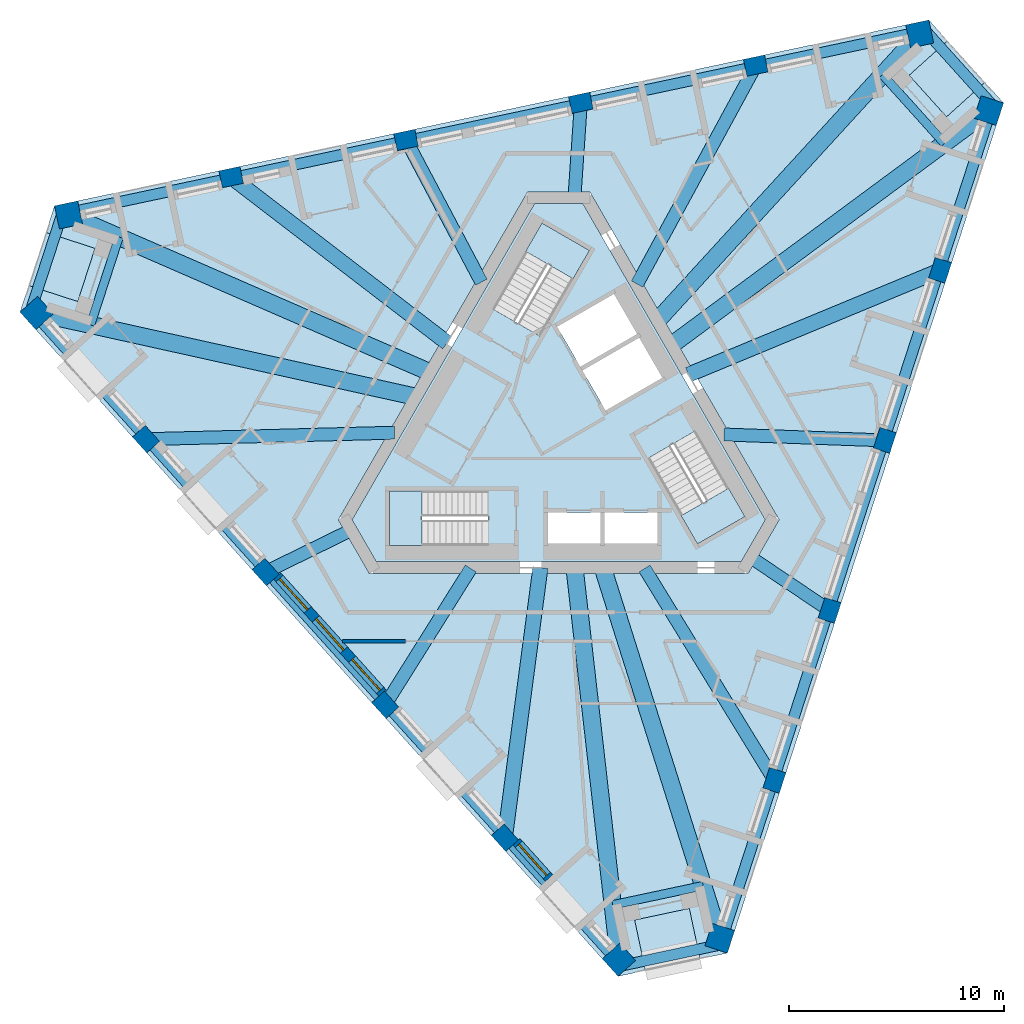
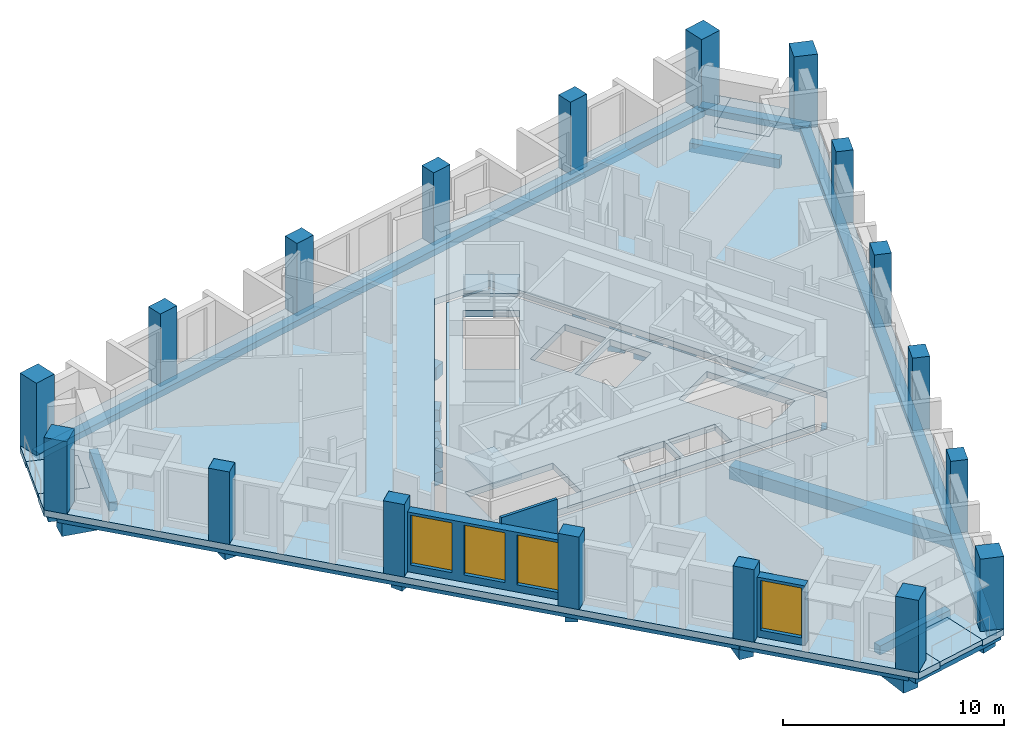
# One storey, part 1 of 12: 27 beams, 18 columns, 8 slabs, 4 windows, 3 walls, 4 openings, 3 elements without a shape of their own.
"""IFC4 building model written with IfcOpenShell, lengths in metres."""

from ifc_helpers import new_model, si_unit, direction, frame, frame_2d, origin, origin_2d, place, context, subcontext, project, spatial, polyline, rectangle, outline, extrude, material, layer, layer_set, material_profile, profile_set, type_object, element, fill, aggregate, save


model = new_model("IFC4")

# Units and contexts
model_context = context("Model", 3, precision=1e-05, world=origin(), true_north=direction((0.0, 1.0)))
body_context = subcontext(model_context, "Body", "Model", "MODEL_VIEW")
ifc_project = project(units=[si_unit("LENGTHUNIT", "METRE"), si_unit("AREAUNIT", "SQUARE_METRE"), si_unit("VOLUMEUNIT", "CUBIC_METRE"), si_unit("PLANEANGLEUNIT", "RADIAN"), si_unit("MASSUNIT", "GRAM", prefix="KILO")], contexts=[model_context])

# Site, building, storey
site_placement = place(None, origin())
site = spatial("IfcSite", under=ifc_project, at=site_placement, CompositionType="ELEMENT")
building_placement = place(site_placement, origin())
building = spatial("IfcBuilding", under=site, at=building_placement, Name="Tramontana Tower", CompositionType="ELEMENT")
storey_placement = place(building_placement, frame((0.0, 0.0, 332.39990234375)))
storey = spatial("IfcBuildingStorey", under=building, at=storey_placement, Name="L76", CompositionType="ELEMENT", Elevation=332.39990234375)

# Columns
ifc_material_1 = material(Name="Concrete 55 MPa", Category="concrete")
ifc_material_profile_1 = material_profile(ifc_material_1, rectangle(XDim=1.10009765625, YDim=1.10009765625, at=origin_2d()), Name="Mega column 1100X1100 55 MPa")
ifc_profile_set_1 = profile_set([ifc_material_profile_1], Name="Concrete 55 MPa")
column_type_1 = type_object("IfcColumnType", Name="Mega column 1100X1100 55 MPa", PredefinedType="COLUMN", material=ifc_profile_set_1)
for number, where, z_axis, x_axis, name in (
    (1, (-24.278076171875, 5.368408203125, 0.0), (0.0, 0.0, 1.0), (0.669130606359, -0.743144825477, 0.0), "Mega column C8K1 L76"),
    (2, (2.80126953125, -24.706298828125, 0.0), (0.0, 0.0, 1.0), (0.669130606359, -0.743144825477, 0.0), "Mega column C8K2 L76"),
    (3, (7.489990234375, -23.70947265625, 0.0), (0.0, 0.0, 1.0), (0.309016994375, 0.951056516295, 0.0), "Mega column C8K3 L76"),
    (4, (19.99560546875, 14.779052734375, 0.0), (0.0, 0.0, 1.0), (0.309016994375, 0.951056516295, 0.0), "Mega column C8K4 L76"),
    (5, (16.7880859375, 18.34130859375, 0.0), (0.0, 0.0, 1.0), (-0.978147600734, -0.207911690818, 0.0), "Mega column C8K5 L76"),
    (6, (-22.796875, 9.92724609375, 0.0), (0.0, 0.0, 1.0), (-0.978147600734, -0.207911690818, 0.0), "Mega column C8K6 L76"),
):
    element("IfcColumn", number, at=place(storey_placement, frame(where, z_axis=z_axis, x_axis=x_axis)), inside=storey, type_object=column_type_1, Name=name, PredefinedType="COLUMN", context=body_context, shape_type="SweptSolid", body=[
        extrude(rectangle(XDim=1.10009765625, YDim=1.10009765625, at=origin_2d()), origin(), (0.0, 0.0, 1.0), 4.0),
    ])
ifc_material_2 = material(Name="Concrete 55 MPa", Category="concrete")
ifc_material_profile_2 = material_profile(ifc_material_2, rectangle(XDim=1.0, YDim=0.800048828125, at=origin_2d()), Name="Pier column 1000X800 55 MPa")
ifc_profile_set_2 = profile_set([ifc_material_profile_2], Name="Concrete 55 MPa")
column_type_2 = type_object("IfcColumnType", Name="Pier column 1000X800 55 MPa", PredefinedType="COLUMN", material=ifc_profile_set_2)
for number, where, z_axis, x_axis, name in (
    (7, (-19.194580078125, -0.501708984375, 0.0), (0.0, 0.0, 1.0), (0.669130606359, -0.743144825477, 0.0), "Pier column C8F01 L76"),
    (8, (-13.63134765625, -6.68017578125, 0.0), (0.0, 0.0, 1.0), (0.669130606359, -0.743144825477, 0.0), "Pier column C8F02 L76"),
    (9, (-8.068359375, -12.8583984375, 0.0), (0.0, 0.0, 1.0), (0.669130606359, -0.743144825477, 0.0), "Pier column C8F03 L76"),
    (10, (-2.50537109375, -19.036865234375, 0.0), (0.0, 0.0, 1.0), (0.669130606359, -0.743144825477, 0.0), "Pier column C8F04 L76"),
    (11, (10.03173828125, -16.3720703125, 0.0), (0.0, 0.0, 1.0), (0.309016994375, 0.951056516295, 0.0), "Pier column C8F05 L76"),
    (12, (12.600830078125, -8.465087890625, 0.0), (0.0, 0.0, 1.0), (0.309016994375, 0.951056516295, 0.0), "Pier column C8F06 L76"),
    (13, (15.169921875, -0.55810546875, 0.0), (0.0, 0.0, 1.0), (0.309016994375, 0.951056516295, 0.0), "Pier column C8F07 L76"),
    (14, (17.739013671875, 7.348876953125, 0.0), (0.0, 0.0, 1.0), (0.309016994375, 0.951056516295, 0.0), "Pier column C8F08 L76"),
    (15, (9.162841796875, 16.873779296875, 0.0), (0.0, 0.0, 1.0), (-0.978147600734, -0.207911690818, 0.0), "Pier column C8F09 L76"),
    (16, (1.030517578125, 15.145263671875, 0.0), (0.0, 0.0, 1.0), (-0.978147600734, -0.207911690818, 0.0), "Pier column C8F10 L76"),
    (17, (-7.1015625, 13.416748046875, 0.0), (0.0, 0.0, 1.0), (-0.978147600734, -0.207911690818, 0.0), "Pier column C8F11 L76"),
    (18, (-15.233642578125, 11.688232421875, 0.0), (0.0, 0.0, 1.0), (-0.978147600734, -0.207911690818, 0.0), "Pier column C8F12 L76"),
):
    element("IfcColumn", number, at=place(storey_placement, frame(where, z_axis=z_axis, x_axis=x_axis)), inside=storey, type_object=column_type_2, Name=name, PredefinedType="COLUMN", context=body_context, shape_type="SweptSolid", body=[
        extrude(rectangle(XDim=1.0, YDim=0.800048828125, at=origin_2d()), origin(), (0.0, 0.0, 1.0), 4.0),
    ])

# Beams
ifc_material_3 = material(Name="Concrete 40 MPa", Category="concrete")
ifc_material_profile_3 = material_profile(ifc_material_3, rectangle(XDim=0.5, YDim=0.35009765625, at=origin_2d()), Name="RC EDGE BEAM 500X350 40 MPa")
ifc_profile_set_3 = profile_set([ifc_material_profile_3], Name="Concrete 40 MPa")
beam_type_1 = type_object("IfcBeamType", Name="RC EDGE BEAM 500X350 40 MPa", PredefinedType="SPANDREL", material=ifc_profile_set_3)
for number, where, z_axis, x_axis, name in (
    (19, (-24.352294921875, 5.301513671875, -0.52490234375), (0.669126699639, -0.743148343086, 0.0), (0.743148343086, 0.669126699639, 0.0), "Spandrel beam S0 L76"),
    (20, (7.5849609375, -23.740478515625, -0.52490234375), (0.309021003975, 0.951055213488, 0.0), (-0.951055213488, 0.309021003975, 0.0), "Spandrel beam S1 L76"),
):
    element("IfcBeam", number, at=place(storey_placement, frame(where, z_axis=z_axis, x_axis=x_axis)), inside=storey, type_object=beam_type_1, Name=name, PredefinedType="SPANDREL", context=body_context, shape_type="SweptSolid", body=[
        extrude(rectangle(XDim=0.5, YDim=0.35009765625, at=origin_2d()), origin(), (0.0, 0.0, 1.0), 40.46923828125),
    ])
beam_1_placement = place(storey_placement, frame((16.767333984375, 18.439208984375, -0.52490234375), z_axis=(-0.978146276815, -0.20791791927, 0.0), x_axis=(0.20791791927, -0.978146276815, 0.0)))
element("IfcBeam", 21, at=beam_1_placement, inside=storey, type_object=beam_type_1, Name="Spandrel beam S2 L76", PredefinedType="SPANDREL", context=body_context, shape_type="SweptSolid", body=[
    extrude(rectangle(XDim=0.5, YDim=0.35009765625, at=origin_2d()), origin(), (0.0, 0.0, 1.0), 40.469482421875),
])
beam_2_placement = place(storey_placement, frame((-23.02099609375, 10.2119140625, -0.52490234375), z_axis=(-0.309015953557, -0.951056854477, 0.0), x_axis=(0.951056854477, -0.309015953557, 0.0)))
element("IfcBeam", 22, at=beam_2_placement, inside=storey, type_object=beam_type_1, Name="Spandrel beam K0 L76", PredefinedType="SPANDREL", context=body_context, shape_type="SweptSolid", body=[
    extrude(rectangle(XDim=0.5, YDim=0.35009765625, at=origin_2d()), origin(), (0.0, 0.0, 1.0), 5.1962890625),
])
for number, where, z_axis, x_axis, name in (
    (23, (2.6669921875, -25.042724609375, -0.52490234375), (0.97814762463, 0.207911578393, 0.0), (-0.207911578393, 0.97814762463, 0.0), "Spandrel beam K1 L76"),
    (24, (20.354248046875, 14.8310546875, -0.52490234375), (-0.66916199362, 0.74311656306, 0.0), (-0.74311656306, -0.66916199362, 0.0), "Spandrel beam K2 L76"),
):
    element("IfcBeam", number, at=place(storey_placement, frame(where, z_axis=z_axis, x_axis=x_axis)), inside=storey, type_object=beam_type_1, Name=name, PredefinedType="SPANDREL", context=body_context, shape_type="SweptSolid", body=[
        extrude(rectangle(XDim=0.5, YDim=0.35009765625, at=origin_2d()), origin(), (0.0, 0.0, 1.0), 5.196044921875),
    ])
ifc_material_4 = material(Name="Concrete 40 MPa", Category="concrete")
ifc_material_profile_4 = material_profile(ifc_material_4, rectangle(XDim=0.60009765625, YDim=0.699951171875, at=origin_2d()), Name="RC GIRDER 600X700 40 MPa")
ifc_profile_set_4 = profile_set([ifc_material_profile_4], Name="Concrete 40 MPa")
beam_type_2 = type_object("IfcBeamType", Name="RC GIRDER 600X700 40 MPa", PredefinedType="BEAM", material=ifc_profile_set_4)
beam_3_placement = place(storey_placement, frame((-19.194580078125, -0.501708984375, -0.699951171875), z_axis=(0.999658682192, 0.026125066864, 0.0), x_axis=(-0.026125066864, 0.999658682192, 0.0)))
element("IfcBeam", 25, at=beam_3_placement, inside=storey, type_object=beam_type_2, Name="Radial girder C8F01 L76", PredefinedType="BEAM", context=body_context, shape_type="SweptSolid", body=[
    extrude(rectangle(XDim=0.60009765625, YDim=0.699951171875, at=origin_2d()), origin(), (0.0, 0.0, 1.0), 11.559814453125),
])
beam_4_placement = place(storey_placement, frame((-13.63134765625, -6.68017578125, -0.699951171875), z_axis=(0.897959158445, 0.440078799496, 0.0), x_axis=(-0.440078799496, 0.897959158445, 0.0)))
element("IfcBeam", 26, at=beam_4_placement, inside=storey, type_object=beam_type_2, Name="Radial girder C8F02 L76", PredefinedType="BEAM", context=body_context, shape_type="SweptSolid", body=[
    extrude(rectangle(XDim=0.60009765625, YDim=0.699951171875, at=origin_2d()), origin(), (0.0, 0.0, 1.0), 4.4296875),
])
beam_5_placement = place(storey_placement, frame((-8.068359375, -12.8583984375, -0.699951171875), z_axis=(0.531504835363, 0.847055257929, 0.0), x_axis=(-0.847055257929, 0.531504835363, 0.0)))
element("IfcBeam", 27, at=beam_5_placement, inside=storey, type_object=beam_type_2, Name="Radial girder C8F03 L76", PredefinedType="BEAM", context=body_context, shape_type="SweptSolid", body=[
    extrude(rectangle(XDim=0.60009765625, YDim=0.699951171875, at=origin_2d()), origin(), (0.0, 0.0, 1.0), 7.486328125),
])
beam_6_placement = place(storey_placement, frame((10.03173828125, -16.3720703125, -0.699951171875), z_axis=(-0.522458548495, 0.852664685034, 0.0), x_axis=(-0.852664685034, -0.522458548495, 0.0)))
element("IfcBeam", 28, at=beam_6_placement, inside=storey, type_object=beam_type_2, Name="Radial girder C8F05 L76", PredefinedType="BEAM", context=body_context, shape_type="SweptSolid", body=[
    extrude(rectangle(XDim=0.60009765625, YDim=0.699951171875, at=origin_2d()), origin(), (0.0, 0.0, 1.0), 11.559814453125),
])
beam_7_placement = place(storey_placement, frame((12.600830078125, -8.465087890625, -0.699951171875), z_axis=(-0.830077902204, 0.557647448011, 0.0), x_axis=(-0.557647448011, -0.830077902204, 0.0)))
element("IfcBeam", 29, at=beam_7_placement, inside=storey, type_object=beam_type_2, Name="Radial girder C8F06 L76", PredefinedType="BEAM", context=body_context, shape_type="SweptSolid", body=[
    extrude(rectangle(XDim=0.60009765625, YDim=0.699951171875, at=origin_2d()), origin(), (0.0, 0.0, 1.0), 4.4296875),
])
beam_8_placement = place(storey_placement, frame((15.169921875, -0.55810546875, -0.699951171875), z_axis=(-0.999324360611, 0.036753534393, 0.0), x_axis=(-0.036753534393, -0.999324360611, 0.0)))
element("IfcBeam", 30, at=beam_8_placement, inside=storey, type_object=beam_type_2, Name="Radial girder C8F07 L76", PredefinedType="BEAM", context=body_context, shape_type="SweptSolid", body=[
    extrude(rectangle(XDim=0.60009765625, YDim=0.699951171875, at=origin_2d()), origin(), (0.0, 0.0, 1.0), 7.486328125),
])
beam_9_placement = place(storey_placement, frame((9.16259765625, 16.873779296875, -0.699951171875), z_axis=(-0.477185075818, -0.87880282397, 0.0), x_axis=(0.87880282397, -0.477185075818, 0.0)))
element("IfcBeam", 31, at=beam_9_placement, inside=storey, type_object=beam_type_2, Name="Radial girder C8F09 L76", PredefinedType="BEAM", context=body_context, shape_type="SweptSolid", body=[
    extrude(rectangle(XDim=0.60009765625, YDim=0.699951171875, at=origin_2d()), origin(), (0.0, 0.0, 1.0), 11.559814453125),
])
beam_10_placement = place(storey_placement, frame((1.030517578125, 15.145263671875, -0.699951171875), z_axis=(-0.067897965918, -0.997692270304, 0.0), x_axis=(0.997692270304, -0.067897965918, 0.0)))
element("IfcBeam", 32, at=beam_10_placement, inside=storey, type_object=beam_type_2, Name="Radial girder C8F10 L76", PredefinedType="BEAM", context=body_context, shape_type="SweptSolid", body=[
    extrude(rectangle(XDim=0.60009765625, YDim=0.699951171875, at=origin_2d()), origin(), (0.0, 0.0, 1.0), 4.429931640625),
])
beam_11_placement = place(storey_placement, frame((-7.1015625, 13.416748046875, -0.699951171875), z_axis=(0.467808305742, -0.883829954843, 0.0), x_axis=(0.883829954843, 0.467808305742, 0.0)))
element("IfcBeam", 33, at=beam_11_placement, inside=storey, type_object=beam_type_2, Name="Radial girder C8F11 L76", PredefinedType="BEAM", context=body_context, shape_type="SweptSolid", body=[
    extrude(rectangle(XDim=0.60009765625, YDim=0.699951171875, at=origin_2d()), origin(), (0.0, 0.0, 1.0), 7.486328125),
])
ifc_material_5 = material(Name="Concrete 40 MPa", Category="concrete")
ifc_material_profile_5 = material_profile(ifc_material_5, rectangle(XDim=0.699951171875, YDim=0.89990234375, at=origin_2d()), Name="RC GIRDER 700X900 40 MPa")
ifc_profile_set_5 = profile_set([ifc_material_profile_5], Name="Concrete 40 MPa")
beam_type_3 = type_object("IfcBeamType", Name="RC GIRDER 700X900 40 MPa", PredefinedType="BEAM", material=ifc_profile_set_5)
beam_12_placement = place(storey_placement, frame((-2.50537109375, -19.036865234375, -0.7998046875), z_axis=(0.130493398369, 0.991449178214, 0.0), x_axis=(-0.991449178214, 0.130493398369, 0.0)))
element("IfcBeam", 34, at=beam_12_placement, inside=storey, type_object=beam_type_3, Name="Radial girder C8F04 L76", PredefinedType="BEAM", context=body_context, shape_type="SweptSolid", body=[
    extrude(rectangle(XDim=0.699951171875, YDim=0.89990234375, at=origin_2d()), origin(), (0.0, 0.0, 1.0), 12.66796875),
])
beam_13_placement = place(storey_placement, frame((17.739013671875, 7.348876953125, -0.7998046875), z_axis=(-0.923857326556, -0.382737037885, 0.0), x_axis=(0.382737037885, -0.923857326556, 0.0)))
element("IfcBeam", 35, at=beam_13_placement, inside=storey, type_object=beam_type_3, Name="Radial girder C8F08 L76", PredefinedType="BEAM", context=body_context, shape_type="SweptSolid", body=[
    extrude(rectangle(XDim=0.699951171875, YDim=0.89990234375, at=origin_2d()), origin(), (0.0, 0.0, 1.0), 12.667724609375),
])
beam_14_placement = place(storey_placement, frame((-15.23388671875, 11.68798828125, -0.7998046875), z_axis=(0.793386383047, -0.608718364431, 0.0), x_axis=(0.608718364431, 0.793386383047, 0.0)))
element("IfcBeam", 36, at=beam_14_placement, inside=storey, type_object=beam_type_3, Name="Radial girder C8F12 L76", PredefinedType="BEAM", context=body_context, shape_type="SweptSolid", body=[
    extrude(rectangle(XDim=0.699951171875, YDim=0.89990234375, at=origin_2d()), origin(), (0.0, 0.0, 1.0), 12.66796875),
])
ifc_material_6 = material(Name="Concrete 40 MPa", Category="concrete")
ifc_material_profile_6 = material_profile(ifc_material_6, rectangle(XDim=0.800048828125, YDim=1.10009765625, at=origin_2d()), Name="RC GIRDER 800X1100 40 MPa")
ifc_profile_set_6 = profile_set([ifc_material_profile_6], Name="Concrete 40 MPa")
beam_type_4 = type_object("IfcBeamType", Name="RC GIRDER 800X1100 40 MPa", PredefinedType="BEAM", material=ifc_profile_set_6)
beam_15_placement = place(storey_placement, frame((-24.278076171875, 5.368408203125, -0.89990234375), z_axis=(0.976414256624, -0.215905533653, 0.0), x_axis=(0.215905533653, 0.976414256624, 0.0)))
element("IfcBeam", 37, at=beam_15_placement, inside=storey, type_object=beam_type_4, Name="Radial girder C8K1 L76", PredefinedType="BEAM", context=body_context, shape_type="SweptSolid", body=[
    extrude(rectangle(XDim=0.800048828125, YDim=1.10009765625, at=origin_2d()), origin(), (0.0, 0.0, 1.0), 18.060791015625),
])
beam_16_placement = place(storey_placement, frame((2.80126953125, -24.706298828125, -0.89990234375), z_axis=(-0.112660068087, 0.993633588934, 0.0), x_axis=(-0.993633588934, -0.112660068087, 0.0)))
element("IfcBeam", 38, at=beam_16_placement, inside=storey, type_object=beam_type_4, Name="Radial girder C8K2 L76", PredefinedType="BEAM", context=body_context, shape_type="SweptSolid", body=[
    extrude(rectangle(XDim=0.800048828125, YDim=1.10009765625, at=origin_2d()), origin(), (0.0, 0.0, 1.0), 18.34619140625),
])
beam_17_placement = place(storey_placement, frame((7.489990234375, -23.709716796875, -0.89990234375), z_axis=(-0.301228407795, 0.953552015538, 0.0), x_axis=(-0.953552015538, -0.301228407795, 0.0)))
element("IfcBeam", 39, at=beam_17_placement, inside=storey, type_object=beam_type_4, Name="Radial girder C8K3 L76", PredefinedType="BEAM", context=body_context, shape_type="SweptSolid", body=[
    extrude(rectangle(XDim=0.800048828125, YDim=1.10009765625, at=origin_2d()), origin(), (0.0, 0.0, 1.0), 18.060791015625),
])
beam_18_placement = place(storey_placement, frame((19.99560546875, 14.779052734375, -0.89990234375), z_axis=(-0.804178630494, -0.594387693562, 0.0), x_axis=(0.594387693562, -0.804178630494, 0.0)))
element("IfcBeam", 40, at=beam_18_placement, inside=storey, type_object=beam_type_4, Name="Radial girder C8K4 L76", PredefinedType="BEAM", context=body_context, shape_type="SweptSolid", body=[
    extrude(rectangle(XDim=0.800048828125, YDim=1.10009765625, at=origin_2d()), origin(), (0.0, 0.0, 1.0), 18.34619140625),
])
beam_19_placement = place(storey_placement, frame((16.7880859375, 18.34130859375, -0.89990234375), z_axis=(-0.675183941423, -0.737649405371, 0.0), x_axis=(0.737649405371, -0.675183941423, 0.0)))
element("IfcBeam", 41, at=beam_19_placement, inside=storey, type_object=beam_type_4, Name="Radial girder C8K5 L76", PredefinedType="BEAM", context=body_context, shape_type="SweptSolid", body=[
    extrude(rectangle(XDim=0.800048828125, YDim=1.10009765625, at=origin_2d()), origin(), (0.0, 0.0, 1.0), 18.060791015625),
])
beam_20_placement = place(storey_placement, frame((-22.796875, 9.92724609375, -0.89990234375), z_axis=(0.916837391717, -0.399260813441, 0.0), x_axis=(0.399260813441, 0.916837391717, 0.0)))
element("IfcBeam", 42, at=beam_20_placement, inside=storey, type_object=beam_type_4, Name="Radial girder C8K6 L76", PredefinedType="BEAM", context=body_context, shape_type="SweptSolid", body=[
    extrude(rectangle(XDim=0.800048828125, YDim=1.10009765625, at=origin_2d()), origin(), (0.0, 0.0, 1.0), 18.34619140625),
])
ifc_material_7 = material(Name="Concrete 40 MPa", Category="concrete")
ifc_material_profile_7 = material_profile(ifc_material_7, rectangle(XDim=0.39990234375, YDim=0.5, at=origin_2d()), Name="RC TRIM BEAM 400X500 40 MPa")
ifc_profile_set_7 = profile_set([ifc_material_profile_7], Name="Concrete 40 MPa")
beam_type_5 = type_object("IfcBeamType", Name="RC TRIM BEAM 400X500 40 MPa", PredefinedType="JOIST", material=ifc_profile_set_7)
for number, where, z_axis, x_axis, name in (
    (43, (-20.44921875, 8.90478515625, -0.599853515625), (-0.308996198876, -0.951063272911, 0.0), (0.951063272911, -0.308996198876, 0.0), "Trimmer beam K0 L76"),
    (44, (2.5126953125, -22.161865234375, -0.599853515625), (0.978144273721, 0.207927342565, 0.0), (-0.207927342565, 0.978144273721, 0.0), "Trimmer beam K1 L76"),
    (45, (17.936279296875, 13.257080078125, -0.599853515625), (-0.669146657008, 0.743130373094, 0.0), (-0.743130373094, -0.669146657008, 0.0), "Trimmer beam K2 L76"),
):
    element("IfcBeam", number, at=place(storey_placement, frame(where, z_axis=z_axis, x_axis=x_axis)), inside=storey, type_object=beam_type_5, Name=name, PredefinedType="JOIST", context=body_context, shape_type="SweptSolid", body=[
        extrude(rectangle(XDim=0.39990234375, YDim=0.5, at=origin_2d()), origin(), (0.0, 0.0, 1.0), 4.2998046875),
    ])

# Slabs
ifc_material_8 = material(Name="Precast concrete 50 MPa", Category="concrete")
ifc_layer_1 = layer(ifc_material_8, 0.25)
ifc_layer_set_1 = layer_set([ifc_layer_1], Name="LT1 Loggia floor tray 250")
slab_type_1 = type_object("IfcSlabType", Name="LT1 Loggia floor tray 250", PredefinedType="FLOOR", material=ifc_layer_set_1)
slab_1_placement = place(storey_placement, frame((0.0, 0.0, -0.25)))
element("IfcSlab", 46, at=slab_1_placement, inside=storey, type_object=slab_type_1, Name="Corner loggia floor L76 K80", PredefinedType="FLOOR", context=body_context, shape_type="SweptSolid", body=[
    extrude(outline(polyline([(-23.85009765625, 9.1162109375), (-21.567626953125, 8.374755859375), (-22.37109375, 5.90185546875), (-24.653564453125, 6.6435546875), (-23.85009765625, 9.1162109375)])), origin(), (0.0, 0.0, 1.0), 0.25),
])
slab_2_placement = place(storey_placement, frame((0.0, 0.0, -0.25)))
element("IfcSlab", 47, at=slab_2_placement, inside=storey, type_object=slab_type_1, Name="Corner loggia floor L76 K81", PredefinedType="FLOOR", context=body_context, shape_type="SweptSolid", body=[
    extrude(outline(polyline([(4.0302734375, -25.213134765625), (3.53125, -22.865478515625), (6.074462890625, -22.324951171875), (6.5732421875, -24.67236328125), (4.0302734375, -25.213134765625)])), origin(), (0.0, 0.0, 1.0), 0.25),
])
slab_3_placement = place(storey_placement, frame((0.0, 0.0, -0.25)))
element("IfcSlab", 48, at=slab_3_placement, inside=storey, type_object=slab_type_1, Name="Corner loggia floor L76 K82", PredefinedType="FLOOR", context=body_context, shape_type="SweptSolid", body=[
    extrude(outline(polyline([(19.820068359375, 16.0966796875), (18.03662109375, 14.49072265625), (16.296875, 16.423095703125), (18.080322265625, 18.02880859375), (19.820068359375, 16.0966796875)])), origin(), (0.0, 0.0, 1.0), 0.25),
])
ifc_material_9 = material(Name="Concrete 40 MPa", Category="concrete")
ifc_layer_2 = layer(ifc_material_9, 0.35009765625)
ifc_layer_set_2 = layer_set([ifc_layer_2], Name="PT FLAT SLAB 350 40 MPa")
slab_type_2 = type_object("IfcSlabType", Name="PT FLAT SLAB 350 40 MPa", PredefinedType="FLOOR", material=ifc_layer_set_2)
slab_4_placement = place(storey_placement, frame((0.0, 0.0, -0.349853515625)))
element("IfcSlab", 49, at=slab_4_placement, inside=storey, type_object=slab_type_2, Name="Floor slab L76", PredefinedType="FLOOR", context=body_context, shape_type="SweptSolid", body=[
    extrude(outline(polyline([(18.080322265625, 18.02880859375), (16.296875, 16.423095703125), (18.03662109375, 14.49072265625), (19.820068359375, 16.0966796875), (20.688720703125, 15.132080078125), (7.843017578125, -24.402587890625), (6.5732421875, -24.672607421875), (6.074462890625, -22.324951171875), (3.53125, -22.865478515625), (4.0302734375, -25.212890625), (2.760498046875, -25.48291015625), (-25.0546875, 5.408935546875), (-24.65380859375, 6.6435546875), (-22.37109375, 5.90185546875), (-21.567626953125, 8.374755859375), (-23.85009765625, 9.1162109375), (-23.44921875, 10.350830078125), (17.211669921875, 18.99365234375), (18.080322265625, 18.02880859375)]), holes=[polyline([(-10.248046875, -4.25), (-8.8046875, -6.75), (8.8046875, -6.75), (10.248046875, -4.25), (1.443359375, 11.0), (-1.443359375, 11.0), (-10.248046875, -4.25)])]), origin(), (0.0, 0.0, 1.0), 0.349853515625),
])
slab_5_placement = place(storey_placement, frame((0.0, 0.0, -0.349853515625)))
element("IfcSlab", 50, at=slab_5_placement, inside=storey, type_object=slab_type_2, Name="Core floor slab L76", PredefinedType="FLOOR", context=body_context, shape_type="SweptSolid", body=[
    extrude(outline(polyline([(9.61279296875, -4.25), (8.487060546875, -6.199951171875), (-8.487060546875, -6.199951171875), (-9.61279296875, -4.25), (-1.125732421875, 10.449951171875), (1.125732421875, 10.449951171875), (9.61279296875, -4.25)]), holes=[polyline([(8.659912109375, -4.099365234375), (6.35986328125, -0.115478515625), (4.151611328125, -1.390625), (6.451416015625, -5.374267578125), (8.659912109375, -4.099365234375)]), polyline([(3.829833984375, 4.2666015625), (1.101806640625, 2.69140625), (2.177001953125, 0.82958984375), (4.90478515625, 2.404541015625), (3.829833984375, 4.2666015625)]), polyline([(4.590087890625, -3.89990234375), (2.139892578125, -3.89990234375), (2.139892578125, -5.449951171875), (4.590087890625, -5.449951171875), (4.590087890625, -3.89990234375)]), polyline([(2.65478515625, 6.3017578125), (-0.072998046875, 4.726806640625), (1.001953125, 2.86474609375), (3.729736328125, 4.439697265625), (2.65478515625, 6.3017578125)]), polyline([(1.93994140625, -5.449951171875), (1.93994140625, -3.89990234375), (-0.510009765625, -3.89990234375), (-0.510009765625, -5.449951171875), (1.93994140625, -5.449951171875)]), polyline([(-0.77978515625, 9.54931640625), (-3.079833984375, 5.565673828125), (-0.87158203125, 4.29052734375), (1.428466796875, 8.2744140625), (-0.77978515625, 9.54931640625)]), polyline([(-7.8798828125, -5.449951171875), (-3.280029296875, -5.449951171875), (-3.280029296875, -2.89990234375), (-7.8798828125, -2.89990234375), (-7.8798828125, -5.449951171875)])]), origin(), (0.0, 0.0, 1.0), 0.349853515625),
])

# Stair, slab
ifc_material_10 = material(Name="Concrete 40 MPa", Category="concrete")
stair_type = type_object("IfcStairType", Name="EXIT STAIR 24 RISERS", PredefinedType="HALF_TURN_STAIR", material=ifc_material_10)
stair_1_placement = place(storey_placement, origin())
stair_1 = element("IfcStair", 51, at=stair_1_placement, inside=storey, type_object=stair_type, Name="L76 Exit stair ST1", PredefinedType="HALF_TURN_STAIR")
ifc_material_11 = material(Name="Concrete 40 MPa", Category="concrete")
ifc_layer_3 = layer(ifc_material_11, 0.199951171875)
ifc_layer_set_3 = layer_set([ifc_layer_3], Name="STAIR LANDING 200")
slab_type_3 = type_object("IfcSlabType", Name="STAIR LANDING 200", PredefinedType="LANDING", material=ifc_layer_set_3)
slab_6_placement = place(storey_placement, frame((0.0, 0.0, 1.800048828125)))
slab_6 = element("IfcSlab", 52, at=slab_6_placement, type_object=slab_type_3, Name="ST1 landing 1", PredefinedType="LANDING", context=body_context, shape_type="SweptSolid", body=[
    extrude(outline(polyline([(0.66845703125, 6.9580078125), (1.428466796875, 8.274169921875), (-0.77978515625, 9.54931640625), (-1.539794921875, 8.23291015625), (0.66845703125, 6.9580078125)])), origin(), (0.0, 0.0, 1.0), 0.199951171875),
])
aggregate(stair_1, [slab_6])

stair_2_placement = place(storey_placement, origin())
stair_2 = element("IfcStair", 53, at=stair_2_placement, inside=storey, type_object=stair_type, Name="L76 Exit stair ST2", PredefinedType="HALF_TURN_STAIR")
slab_7_placement = place(storey_placement, frame((0.0, 0.0, 1.800048828125)))
slab_7 = element("IfcSlab", 54, at=slab_7_placement, type_object=slab_type_3, Name="ST2 landing 1", PredefinedType="LANDING", context=body_context, shape_type="SweptSolid", body=[
    extrude(outline(polyline([(-6.360107421875, -2.89990234375), (-7.8798828125, -2.89990234375), (-7.8798828125, -5.449951171875), (-6.360107421875, -5.449951171875), (-6.360107421875, -2.89990234375)])), origin(), (0.0, 0.0, 1.0), 0.199951171875),
])
aggregate(stair_2, [slab_7])

stair_3_placement = place(storey_placement, origin())
stair_3 = element("IfcStair", 55, at=stair_3_placement, inside=storey, type_object=stair_type, Name="L76 Exit stair ST3", PredefinedType="HALF_TURN_STAIR")
slab_8_placement = place(storey_placement, frame((0.0, 0.0, 1.800048828125)))
slab_8 = element("IfcSlab", 56, at=slab_8_placement, type_object=slab_type_3, Name="ST3 landing 1", PredefinedType="LANDING", context=body_context, shape_type="SweptSolid", body=[
    extrude(outline(polyline([(5.69140625, -4.057861328125), (6.451416015625, -5.374267578125), (8.659912109375, -4.099365234375), (7.89990234375, -2.782958984375), (5.69140625, -4.057861328125)])), origin(), (0.0, 0.0, 1.0), 0.199951171875),
])
aggregate(stair_3, [slab_8])

# Wall, openings, windows
ifc_material_12 = material(Name="Precast concrete 60 MPa", Category="concrete")
ifc_layer_4 = layer(ifc_material_12, 0.449951171875)
ifc_layer_set_4 = layer_set([ifc_layer_4], Name="Precast concrete 60 MPa, 450 mm")
wall_type_1 = type_object("IfcWallType", Name="EW1 Stone-faced precast wall 450", PredefinedType="SOLIDWALL", material=ifc_layer_set_4)
wall_1_placement = place(storey_placement, frame((-13.092529296875, -6.86767578125, 0.0), z_axis=(0.0, 0.0, 1.0), x_axis=(0.669136224502, -0.74313976684, 0.0)))
wall_1 = element("IfcWall", 57, at=wall_1_placement, inside=storey, type_object=wall_type_1, Name="External wall L76 face 0 bay 3", PredefinedType="SOLIDWALL", context=body_context, shape_type="SweptSolid", body=[
    extrude(rectangle(XDim=7.31396484375, YDim=0.449951171875, at=frame_2d((3.656982421875, 0.0))), origin(), (0.0, 0.0, 1.0), 3.300048828125),
])
opening_1_placement = place(wall_1_placement, frame((0.16064453125, 0.0, 0.39990234375)))
opening_1 = element("IfcOpeningElement", 58, at=opening_1_placement, cuts=wall_1, Name="Opening M3", PredefinedType="OPENING", context=body_context, shape_type="SweptSolid", body=[
    extrude(rectangle(XDim=1.949951171875, YDim=2.75, at=frame_2d((0.97509765625, 1.375))), frame((0.0, 0.23486328125, 0.0), z_axis=(0.0, -1.0, 0.0), x_axis=(1.0, 0.0, 0.0)), (0.0, 0.0, 1.0), 0.469970703125),
])
opening_2_placement = place(wall_1_placement, frame((2.681884765625, 0.0, 0.39990234375)))
opening_2 = element("IfcOpeningElement", 59, at=opening_2_placement, cuts=wall_1, Name="Opening M3", PredefinedType="OPENING", context=body_context, shape_type="SweptSolid", body=[
    extrude(rectangle(XDim=1.949951171875, YDim=2.75, at=frame_2d((0.97509765625, 1.375))), frame((0.0, 0.23486328125, 0.0), z_axis=(0.0, -1.0, 0.0), x_axis=(1.0, 0.0, 0.0)), (0.0, 0.0, 1.0), 0.469970703125),
])
opening_3_placement = place(wall_1_placement, frame((5.203125, 0.0, 0.39990234375)))
opening_3 = element("IfcOpeningElement", 60, at=opening_3_placement, cuts=wall_1, Name="Opening M3", PredefinedType="OPENING", context=body_context, shape_type="SweptSolid", body=[
    extrude(rectangle(XDim=1.949951171875, YDim=2.75, at=frame_2d((0.97509765625, 1.375))), frame((0.0, 0.23486328125, 0.0), z_axis=(0.0, -1.0, 0.0), x_axis=(1.0, 0.0, 0.0)), (0.0, 0.0, 1.0), 0.469970703125),
])
ifc_material_13 = material(Name="Aluminum frame, double glazing unit", Category="aluminium")
window_type = type_object("IfcWindowType", Name="M3 Window 1.95 x 2.75", PartitioningType="SINGLE_PANEL", PredefinedType="WINDOW", material=ifc_material_13)
window_1_placement = place(opening_1_placement, origin())
window_1 = element("IfcWindow", 61, at=window_1_placement, inside=storey, type_object=window_type, Name="Window M3 L76 face 0 module 7", OverallHeight=2.75, OverallWidth=1.949951171875, PartitioningType="SINGLE_PANEL", PredefinedType="WINDOW", context=body_context, shape_type="SweptSolid", body=[
    extrude(rectangle(XDim=1.949951171875, YDim=2.75, at=frame_2d((0.97509765625, 1.375))), frame((0.0, 0.030029296875, 0.0), z_axis=(0.0, -1.0, 0.0), x_axis=(1.0, 0.0, 0.0)), (0.0, 0.0, 1.0), 0.06005859375),
])
fill(opening_1, window_1)
window_2_placement = place(opening_2_placement, origin())
window_2 = element("IfcWindow", 62, at=window_2_placement, inside=storey, type_object=window_type, Name="Window M3 L76 face 0 module 8", OverallHeight=2.75, OverallWidth=1.949951171875, PartitioningType="SINGLE_PANEL", PredefinedType="WINDOW", context=body_context, shape_type="SweptSolid", body=[
    extrude(rectangle(XDim=1.949951171875, YDim=2.75, at=frame_2d((0.97509765625, 1.375))), frame((0.0, 0.030029296875, 0.0), z_axis=(0.0, -1.0, 0.0), x_axis=(1.0, 0.0, 0.0)), (0.0, 0.0, 1.0), 0.06005859375),
])
fill(opening_2, window_2)
window_3_placement = place(opening_3_placement, origin())
window_3 = element("IfcWindow", 63, at=window_3_placement, inside=storey, type_object=window_type, Name="Window M3 L76 face 0 module 9", OverallHeight=2.75, OverallWidth=1.949951171875, PartitioningType="SINGLE_PANEL", PredefinedType="WINDOW", context=body_context, shape_type="SweptSolid", body=[
    extrude(rectangle(XDim=1.949951171875, YDim=2.75, at=frame_2d((0.97509765625, 1.375))), frame((0.0, 0.030029296875, 0.0), z_axis=(0.0, -1.0, 0.0), x_axis=(1.0, 0.0, 0.0)), (0.0, 0.0, 1.0), 0.06005859375),
])
fill(opening_3, window_3)

# Wall, opening, window
wall_2_placement = place(storey_placement, frame((-1.96630859375, -19.224365234375, 0.0), z_axis=(0.0, 0.0, 1.0), x_axis=(0.669107243666, -0.743165860676, 0.0)))
wall_2 = element("IfcWall", 64, at=wall_2_placement, inside=storey, type_object=wall_type_1, Name="External wall L76 face 0 bay 5", PredefinedType="SOLIDWALL", context=body_context, shape_type="SweptSolid", body=[
    extrude(rectangle(XDim=2.271240234375, YDim=0.449951171875, at=frame_2d((1.1357421875, 0.0))), origin(), (0.0, 0.0, 1.0), 3.300048828125),
])
opening_4_placement = place(wall_2_placement, frame((0.16064453125, 0.0, 0.39990234375)))
opening_4 = element("IfcOpeningElement", 65, at=opening_4_placement, cuts=wall_2, Name="Opening M3", PredefinedType="OPENING", context=body_context, shape_type="SweptSolid", body=[
    extrude(rectangle(XDim=1.949951171875, YDim=2.75, at=frame_2d((0.97509765625, 1.375))), frame((0.0, 0.23486328125, 0.0), z_axis=(0.0, -1.0, 0.0), x_axis=(1.0, 0.0, 0.0)), (0.0, 0.0, 1.0), 0.469970703125),
])
window_4_placement = place(opening_4_placement, origin())
window_4 = element("IfcWindow", 66, at=window_4_placement, inside=storey, type_object=window_type, Name="Window M3 L76 face 0 module 13", OverallHeight=2.75, OverallWidth=1.949951171875, PartitioningType="SINGLE_PANEL", PredefinedType="WINDOW", context=body_context, shape_type="SweptSolid", body=[
    extrude(rectangle(XDim=1.949951171875, YDim=2.75, at=frame_2d((0.97509765625, 1.375))), frame((0.0, 0.030029296875, 0.0), z_axis=(0.0, -1.0, 0.0), x_axis=(1.0, 0.0, 0.0)), (0.0, 0.0, 1.0), 0.06005859375),
])
fill(opening_4, window_4)

# Wall
ifc_material_14 = material(Name="Gypsum board partition")
ifc_layer_5 = layer(ifc_material_14, 0.14990234375)
ifc_layer_set_5 = layer_set([ifc_layer_5], Name="PARTITION 150")
wall_type_2 = type_object("IfcWallType", Name="PARTITION 150", PredefinedType="PARTITIONING", material=ifc_layer_set_5)
wall_3_placement = place(storey_placement, frame((-7.132568359375, -9.89990234375, 0.0), z_axis=(0.0, 0.0, 1.0), x_axis=(-1.0, 0.0, 0.0)))
element("IfcWall", 67, at=wall_3_placement, inside=storey, type_object=wall_type_2, Name="Wall v81-pw13-6", PredefinedType="PARTITIONING", context=body_context, shape_type="SweptSolid", body=[
    extrude(rectangle(XDim=2.9267578125, YDim=0.14990234375, at=frame_2d((1.46337890625, 0.0))), origin(), (0.0, 0.0, 1.0), 3.650146484375),
])

save(model, "model.ifc")
